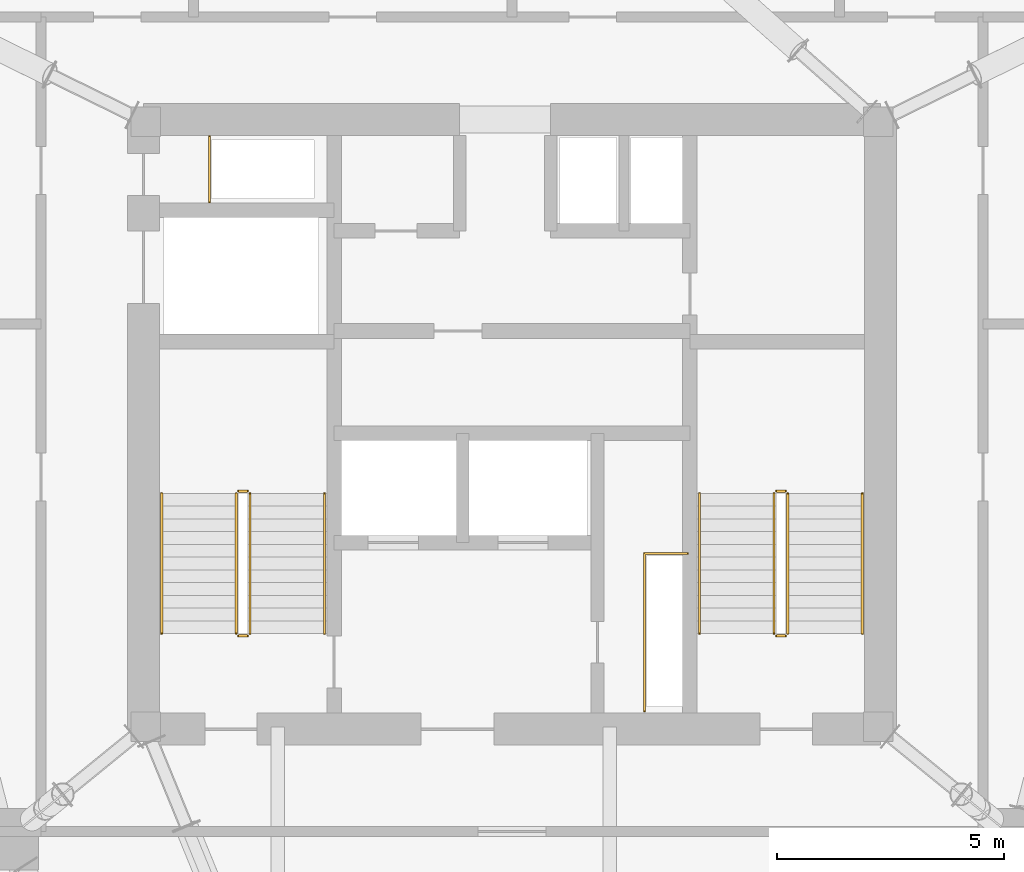
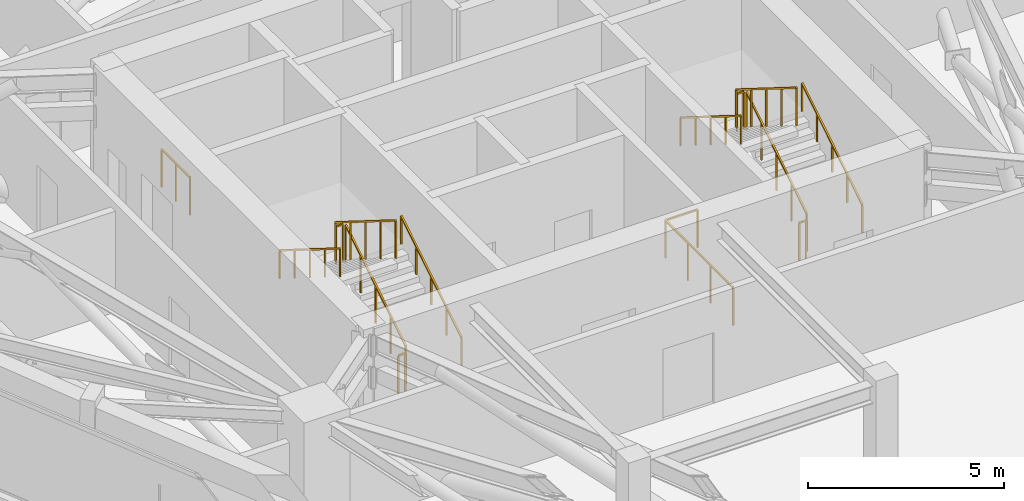
# One storey, part 12 of 12: 14 railings.
"""IFC4 building model written with IfcOpenShell, lengths in metres."""

from ifc_helpers import new_model, si_unit, direction, frame, origin, origin_2d, place, context, subcontext, project, spatial, rectangle, extrude, material, type_object, element, save


model = new_model("IFC4")

# Units and contexts
model_context = context("Model", 3, precision=1e-05, world=origin(), true_north=direction((0.0, 1.0)))
body_context = subcontext(model_context, "Body", "Model", "MODEL_VIEW")
ifc_project = project(units=[si_unit("LENGTHUNIT", "METRE"), si_unit("AREAUNIT", "SQUARE_METRE"), si_unit("VOLUMEUNIT", "CUBIC_METRE"), si_unit("PLANEANGLEUNIT", "RADIAN"), si_unit("MASSUNIT", "GRAM", prefix="KILO")], contexts=[model_context])

# Site, building, storey
site_placement = place(None, origin())
site = spatial("IfcSite", under=ifc_project, at=site_placement, CompositionType="ELEMENT")
building_placement = place(site_placement, origin())
building = spatial("IfcBuilding", under=site, at=building_placement, Name="Talyreon Biosciences Tower", CompositionType="ELEMENT")
storey_placement = place(building_placement, frame((0.0, 0.0, 227.39990234375)))
storey = spatial("IfcBuildingStorey", under=building, at=storey_placement, Name="L60", CompositionType="ELEMENT", Elevation=227.39990234375)

# Railings
ifc_material_1 = material(Name="Brushed stainless-steel tubular handrail", Category="steel")
railing_type_1 = type_object("IfcRailingType", Name="StairWallHandrail_900", PredefinedType="HANDRAIL", material=ifc_material_1)
railing_1_placement = place(storey_placement, frame((61.8798828125, 63.39990234375, 0.175048828125)))
element("IfcRailing", 1, at=railing_1_placement, inside=storey, type_object=railing_type_1, Name="L60 ST-1 stair handrail 1", PredefinedType="HANDRAIL", context=body_context, shape_type="SweptSolid", body=[
    extrude(rectangle(XDim=0.048095703125, YDim=0.048095703125, at=origin_2d()), frame((0.0, 0.0, 0.8759765625), z_axis=(0.0, 0.847998304005, 0.529998940003), x_axis=(-1.0, 0.0, 0.0)), (0.0, 0.0, 1.0), 3.632080078125),
    extrude(rectangle(XDim=0.0419921875, YDim=0.0419921875, at=origin_2d()), origin(), (0.0, 0.0, 1.0), 0.851806640625),
    extrude(rectangle(XDim=0.0419921875, YDim=0.0419921875, at=origin_2d()), frame((0.0, 0.77001953125, 0.481201171875)), (0.0, 0.0, 1.0), 0.851806640625),
    extrude(rectangle(XDim=0.0419921875, YDim=0.0419921875, at=origin_2d()), frame((0.0, 1.5400390625, 0.96240234375)), (0.0, 0.0, 1.0), 0.851806640625),
    extrude(rectangle(XDim=0.0419921875, YDim=0.0419921875, at=origin_2d()), frame((0.0, 2.31005859375, 1.44384765625)), (0.0, 0.0, 1.0), 0.851806640625),
    extrude(rectangle(XDim=0.0419921875, YDim=0.0419921875, at=origin_2d()), frame((0.0, 3.080078125, 1.925048828125)), (0.0, 0.0, 1.0), 0.851806640625),
])
railing_2_placement = place(storey_placement, frame((58.300048828125, 66.47998046875, 2.275146484375)))
element("IfcRailing", 2, at=railing_2_placement, inside=storey, type_object=railing_type_1, Name="L60 ST-1 stair handrail 2", PredefinedType="HANDRAIL", context=body_context, shape_type="SweptSolid", body=[
    extrude(rectangle(XDim=0.048095703125, YDim=0.048095703125, at=origin_2d()), frame((0.0, 0.0, 0.8759765625), z_axis=(0.0, -0.847998304005, 0.529998940003), x_axis=(1.0, 0.0, 0.0)), (0.0, 0.0, 1.0), 3.632080078125),
    extrude(rectangle(XDim=0.0419921875, YDim=0.0419921875, at=origin_2d()), origin(), (0.0, 0.0, 1.0), 0.851806640625),
    extrude(rectangle(XDim=0.0419921875, YDim=0.0419921875, at=origin_2d()), frame((0.0, -0.77001953125, 0.481201171875)), (0.0, 0.0, 1.0), 0.851806640625),
    extrude(rectangle(XDim=0.0419921875, YDim=0.0419921875, at=origin_2d()), frame((0.0, -1.5400390625, 0.96240234375)), (0.0, 0.0, 1.0), 0.851806640625),
    extrude(rectangle(XDim=0.0419921875, YDim=0.0419921875, at=origin_2d()), frame((0.0, -2.31005859375, 1.44384765625)), (0.0, 0.0, 1.0), 0.851806640625),
    extrude(rectangle(XDim=0.0419921875, YDim=0.0419921875, at=origin_2d()), frame((0.0, -3.080078125, 1.925048828125)), (0.0, 0.0, 1.0), 0.851806640625),
])
railing_3_placement = place(storey_placement, frame((73.699951171875, 63.39990234375, 0.175048828125)))
element("IfcRailing", 3, at=railing_3_placement, inside=storey, type_object=railing_type_1, Name="L60 ST-2 stair handrail 1", PredefinedType="HANDRAIL", context=body_context, shape_type="SweptSolid", body=[
    extrude(rectangle(XDim=0.048095703125, YDim=0.048095703125, at=origin_2d()), frame((0.0, 0.0, 0.8759765625), z_axis=(0.0, 0.847998304005, 0.529998940003), x_axis=(-1.0, 0.0, 0.0)), (0.0, 0.0, 1.0), 3.632080078125),
    extrude(rectangle(XDim=0.0419921875, YDim=0.0419921875, at=origin_2d()), origin(), (0.0, 0.0, 1.0), 0.851806640625),
    extrude(rectangle(XDim=0.0419921875, YDim=0.0419921875, at=origin_2d()), frame((0.0, 0.77001953125, 0.481201171875)), (0.0, 0.0, 1.0), 0.851806640625),
    extrude(rectangle(XDim=0.0419921875, YDim=0.0419921875, at=origin_2d()), frame((0.0, 1.5400390625, 0.96240234375)), (0.0, 0.0, 1.0), 0.851806640625),
    extrude(rectangle(XDim=0.0419921875, YDim=0.0419921875, at=origin_2d()), frame((0.0, 2.31005859375, 1.44384765625)), (0.0, 0.0, 1.0), 0.851806640625),
    extrude(rectangle(XDim=0.0419921875, YDim=0.0419921875, at=origin_2d()), frame((0.0, 3.080078125, 1.925048828125)), (0.0, 0.0, 1.0), 0.851806640625),
])
railing_4_placement = place(storey_placement, frame((70.1201171875, 66.47998046875, 2.275146484375)))
element("IfcRailing", 4, at=railing_4_placement, inside=storey, type_object=railing_type_1, Name="L60 ST-2 stair handrail 2", PredefinedType="HANDRAIL", context=body_context, shape_type="SweptSolid", body=[
    extrude(rectangle(XDim=0.048095703125, YDim=0.048095703125, at=origin_2d()), frame((0.0, 0.0, 0.8759765625), z_axis=(0.0, -0.847998304005, 0.529998940003), x_axis=(1.0, 0.0, 0.0)), (0.0, 0.0, 1.0), 3.632080078125),
    extrude(rectangle(XDim=0.0419921875, YDim=0.0419921875, at=origin_2d()), origin(), (0.0, 0.0, 1.0), 0.851806640625),
    extrude(rectangle(XDim=0.0419921875, YDim=0.0419921875, at=origin_2d()), frame((0.0, -0.77001953125, 0.481201171875)), (0.0, 0.0, 1.0), 0.851806640625),
    extrude(rectangle(XDim=0.0419921875, YDim=0.0419921875, at=origin_2d()), frame((0.0, -1.5400390625, 0.96240234375)), (0.0, 0.0, 1.0), 0.851806640625),
    extrude(rectangle(XDim=0.0419921875, YDim=0.0419921875, at=origin_2d()), frame((0.0, -2.31005859375, 1.44384765625)), (0.0, 0.0, 1.0), 0.851806640625),
    extrude(rectangle(XDim=0.0419921875, YDim=0.0419921875, at=origin_2d()), frame((0.0, -3.080078125, 1.925048828125)), (0.0, 0.0, 1.0), 0.851806640625),
])
ifc_material_2 = material(Name="Painted galvanised steel post-and-rail balustrade", Category="steel")
railing_type_2 = type_object("IfcRailingType", Name="TerraceStairGuard_1200", PredefinedType="GUARDRAIL", material=ifc_material_2)
railing_5_placement = place(storey_placement, frame((60.239990234375, 63.39990234375, 0.175048828125)))
element("IfcRailing", 5, at=railing_5_placement, inside=storey, type_object=railing_type_2, Name="L60 ST-1 stair guard 1", PredefinedType="GUARDRAIL", context=body_context, shape_type="SweptSolid", body=[
    extrude(rectangle(XDim=0.048095703125, YDim=0.048095703125, at=origin_2d()), frame((0.0, 0.0, 1.17578125), z_axis=(0.0, 0.847998304005, 0.529998940003), x_axis=(-1.0, 0.0, 0.0)), (0.0, 0.0, 1.0), 3.632080078125),
    extrude(rectangle(XDim=0.0419921875, YDim=0.0419921875, at=origin_2d()), origin(), (0.0, 0.0, 1.0), 1.15185546875),
    extrude(rectangle(XDim=0.0419921875, YDim=0.0419921875, at=origin_2d()), frame((0.0, 0.77001953125, 0.481201171875)), (0.0, 0.0, 1.0), 1.15185546875),
    extrude(rectangle(XDim=0.0419921875, YDim=0.0419921875, at=origin_2d()), frame((0.0, 1.5400390625, 0.96240234375)), (0.0, 0.0, 1.0), 1.15185546875),
    extrude(rectangle(XDim=0.0419921875, YDim=0.0419921875, at=origin_2d()), frame((0.0, 2.31005859375, 1.44384765625)), (0.0, 0.0, 1.0), 1.15185546875),
    extrude(rectangle(XDim=0.0419921875, YDim=0.0419921875, at=origin_2d()), frame((0.0, 3.080078125, 1.925048828125)), (0.0, 0.0, 1.0), 1.15185546875),
])
railing_6_placement = place(storey_placement, frame((60.18994140625, 66.530029296875, 2.10009765625)))
element("IfcRailing", 6, at=railing_6_placement, inside=storey, type_object=railing_type_2, Name="L60 ST-1 stair guard 2", PredefinedType="GUARDRAIL", context=body_context, shape_type="SweptSolid", body=[
    extrude(rectangle(XDim=0.048095703125, YDim=0.048095703125, at=origin_2d()), frame((0.0, 0.0, 1.17578125), z_axis=(-1.0, 0.0, 0.0), x_axis=(0.0, -1.0, 0.0)), (0.0, 0.0, 1.0), 0.199951171875),
    extrude(rectangle(XDim=0.0419921875, YDim=0.0419921875, at=origin_2d()), origin(), (0.0, 0.0, 1.0), 1.15185546875),
    extrude(rectangle(XDim=0.0419921875, YDim=0.0419921875, at=origin_2d()), frame((-0.199951171875, 0.0, 0.0)), (0.0, 0.0, 1.0), 1.15185546875),
])
railing_7_placement = place(storey_placement, frame((59.93994140625, 66.47998046875, 2.275146484375)))
element("IfcRailing", 7, at=railing_7_placement, inside=storey, type_object=railing_type_2, Name="L60 ST-1 stair guard 3", PredefinedType="GUARDRAIL", context=body_context, shape_type="SweptSolid", body=[
    extrude(rectangle(XDim=0.048095703125, YDim=0.048095703125, at=origin_2d()), frame((0.0, 0.0, 1.17578125), z_axis=(0.0, -0.847998304005, 0.529998940003), x_axis=(1.0, 0.0, 0.0)), (0.0, 0.0, 1.0), 3.632080078125),
    extrude(rectangle(XDim=0.0419921875, YDim=0.0419921875, at=origin_2d()), origin(), (0.0, 0.0, 1.0), 1.15185546875),
    extrude(rectangle(XDim=0.0419921875, YDim=0.0419921875, at=origin_2d()), frame((0.0, -0.77001953125, 0.481201171875)), (0.0, 0.0, 1.0), 1.15185546875),
    extrude(rectangle(XDim=0.0419921875, YDim=0.0419921875, at=origin_2d()), frame((0.0, -1.5400390625, 0.96240234375)), (0.0, 0.0, 1.0), 1.15185546875),
    extrude(rectangle(XDim=0.0419921875, YDim=0.0419921875, at=origin_2d()), frame((0.0, -2.31005859375, 1.44384765625)), (0.0, 0.0, 1.0), 1.15185546875),
    extrude(rectangle(XDim=0.0419921875, YDim=0.0419921875, at=origin_2d()), frame((0.0, -3.080078125, 1.925048828125)), (0.0, 0.0, 1.0), 1.15185546875),
])
railing_8_placement = place(storey_placement, frame((60.18994140625, 63.35009765625, 0.0)))
element("IfcRailing", 8, at=railing_8_placement, inside=storey, type_object=railing_type_2, Name="L60 ST-1 stair guard 4", PredefinedType="GUARDRAIL", context=body_context, shape_type="SweptSolid", body=[
    extrude(rectangle(XDim=0.048095703125, YDim=0.048095703125, at=origin_2d()), frame((0.0, 0.0, 1.17578125), z_axis=(-1.0, 0.0, 0.0), x_axis=(0.0, -1.0, 0.0)), (0.0, 0.0, 1.0), 0.199951171875),
    extrude(rectangle(XDim=0.0419921875, YDim=0.0419921875, at=origin_2d()), origin(), (0.0, 0.0, 1.0), 1.15185546875),
    extrude(rectangle(XDim=0.0419921875, YDim=0.0419921875, at=origin_2d()), frame((-0.199951171875, 0.0, 0.0)), (0.0, 0.0, 1.0), 1.15185546875),
])
railing_9_placement = place(storey_placement, frame((72.06005859375, 63.39990234375, 0.175048828125)))
element("IfcRailing", 9, at=railing_9_placement, inside=storey, type_object=railing_type_2, Name="L60 ST-2 stair guard 1", PredefinedType="GUARDRAIL", context=body_context, shape_type="SweptSolid", body=[
    extrude(rectangle(XDim=0.048095703125, YDim=0.048095703125, at=origin_2d()), frame((0.0, 0.0, 1.17578125), z_axis=(0.0, 0.847998304005, 0.529998940003), x_axis=(-1.0, 0.0, 0.0)), (0.0, 0.0, 1.0), 3.632080078125),
    extrude(rectangle(XDim=0.0419921875, YDim=0.0419921875, at=origin_2d()), origin(), (0.0, 0.0, 1.0), 1.15185546875),
    extrude(rectangle(XDim=0.0419921875, YDim=0.0419921875, at=origin_2d()), frame((0.0, 0.77001953125, 0.481201171875)), (0.0, 0.0, 1.0), 1.15185546875),
    extrude(rectangle(XDim=0.0419921875, YDim=0.0419921875, at=origin_2d()), frame((0.0, 1.5400390625, 0.96240234375)), (0.0, 0.0, 1.0), 1.15185546875),
    extrude(rectangle(XDim=0.0419921875, YDim=0.0419921875, at=origin_2d()), frame((0.0, 2.31005859375, 1.44384765625)), (0.0, 0.0, 1.0), 1.15185546875),
    extrude(rectangle(XDim=0.0419921875, YDim=0.0419921875, at=origin_2d()), frame((0.0, 3.080078125, 1.925048828125)), (0.0, 0.0, 1.0), 1.15185546875),
])
railing_10_placement = place(storey_placement, frame((72.010009765625, 66.530029296875, 2.10009765625)))
element("IfcRailing", 10, at=railing_10_placement, inside=storey, type_object=railing_type_2, Name="L60 ST-2 stair guard 2", PredefinedType="GUARDRAIL", context=body_context, shape_type="SweptSolid", body=[
    extrude(rectangle(XDim=0.048095703125, YDim=0.048095703125, at=origin_2d()), frame((0.0, 0.0, 1.17578125), z_axis=(-1.0, 0.0, 0.0), x_axis=(0.0, -1.0, 0.0)), (0.0, 0.0, 1.0), 0.199951171875),
    extrude(rectangle(XDim=0.0419921875, YDim=0.0419921875, at=origin_2d()), origin(), (0.0, 0.0, 1.0), 1.15185546875),
    extrude(rectangle(XDim=0.0419921875, YDim=0.0419921875, at=origin_2d()), frame((-0.199951171875, 0.0, 0.0)), (0.0, 0.0, 1.0), 1.15185546875),
])
railing_11_placement = place(storey_placement, frame((71.760009765625, 66.47998046875, 2.275146484375)))
element("IfcRailing", 11, at=railing_11_placement, inside=storey, type_object=railing_type_2, Name="L60 ST-2 stair guard 3", PredefinedType="GUARDRAIL", context=body_context, shape_type="SweptSolid", body=[
    extrude(rectangle(XDim=0.048095703125, YDim=0.048095703125, at=origin_2d()), frame((0.0, 0.0, 1.17578125), z_axis=(0.0, -0.847998304005, 0.529998940003), x_axis=(1.0, 0.0, 0.0)), (0.0, 0.0, 1.0), 3.632080078125),
    extrude(rectangle(XDim=0.0419921875, YDim=0.0419921875, at=origin_2d()), origin(), (0.0, 0.0, 1.0), 1.15185546875),
    extrude(rectangle(XDim=0.0419921875, YDim=0.0419921875, at=origin_2d()), frame((0.0, -0.77001953125, 0.481201171875)), (0.0, 0.0, 1.0), 1.15185546875),
    extrude(rectangle(XDim=0.0419921875, YDim=0.0419921875, at=origin_2d()), frame((0.0, -1.5400390625, 0.96240234375)), (0.0, 0.0, 1.0), 1.15185546875),
    extrude(rectangle(XDim=0.0419921875, YDim=0.0419921875, at=origin_2d()), frame((0.0, -2.31005859375, 1.44384765625)), (0.0, 0.0, 1.0), 1.15185546875),
    extrude(rectangle(XDim=0.0419921875, YDim=0.0419921875, at=origin_2d()), frame((0.0, -3.080078125, 1.925048828125)), (0.0, 0.0, 1.0), 1.15185546875),
])
railing_12_placement = place(storey_placement, frame((72.010009765625, 63.35009765625, 0.0)))
element("IfcRailing", 12, at=railing_12_placement, inside=storey, type_object=railing_type_2, Name="L60 ST-2 stair guard 4", PredefinedType="GUARDRAIL", context=body_context, shape_type="SweptSolid", body=[
    extrude(rectangle(XDim=0.048095703125, YDim=0.048095703125, at=origin_2d()), frame((0.0, 0.0, 1.17578125), z_axis=(-1.0, 0.0, 0.0), x_axis=(0.0, -1.0, 0.0)), (0.0, 0.0, 1.0), 0.199951171875),
    extrude(rectangle(XDim=0.0419921875, YDim=0.0419921875, at=origin_2d()), origin(), (0.0, 0.0, 1.0), 1.15185546875),
    extrude(rectangle(XDim=0.0419921875, YDim=0.0419921875, at=origin_2d()), frame((-0.199951171875, 0.0, 0.0)), (0.0, 0.0, 1.0), 1.15185546875),
])
railing_13_placement = place(storey_placement, frame((59.35009765625, 72.8798828125, 0.0)))
element("IfcRailing", 13, at=railing_13_placement, inside=storey, type_object=railing_type_2, Name="L60 Exhaust Riser Maintenance Guardrail", PredefinedType="GUARDRAIL", context=body_context, shape_type="SweptSolid", body=[
    extrude(rectangle(XDim=0.048095703125, YDim=0.048095703125, at=origin_2d()), frame((0.0, 0.0, 1.17578125), z_axis=(0.0, 1.0, 0.0), x_axis=(-1.0, 0.0, 0.0)), (0.0, 0.0, 1.0), 1.4501953125),
    extrude(rectangle(XDim=0.0419921875, YDim=0.0419921875, at=origin_2d()), origin(), (0.0, 0.0, 1.0), 1.15185546875),
    extrude(rectangle(XDim=0.0419921875, YDim=0.0419921875, at=origin_2d()), frame((0.0, 0.72509765625, 0.0)), (0.0, 0.0, 1.0), 1.15185546875),
    extrude(rectangle(XDim=0.0419921875, YDim=0.0419921875, at=origin_2d()), frame((0.0, 1.4501953125, 0.0)), (0.0, 0.0, 1.0), 1.15185546875),
])
railing_14_placement = place(storey_placement, frame((68.909912109375, 61.699951171875, 0.0)))
element("IfcRailing", 14, at=railing_14_placement, inside=storey, type_object=railing_type_2, Name="L60 Electrical Riser Maintenance Guardrail", PredefinedType="GUARDRAIL", context=body_context, shape_type="SweptSolid", body=[
    extrude(rectangle(XDim=0.048095703125, YDim=0.048095703125, at=origin_2d()), frame((0.0, 0.0, 1.17578125), z_axis=(0.0, 1.0, 0.0), x_axis=(-1.0, 0.0, 0.0)), (0.0, 0.0, 1.0), 3.4599609375),
    extrude(rectangle(XDim=0.048095703125, YDim=0.048095703125, at=origin_2d()), frame((0.0, 3.4599609375, 1.17578125), z_axis=(1.0, 0.0, 0.0), x_axis=(0.0, 1.0, 0.0)), (0.0, 0.0, 1.0), 0.9501953125),
    extrude(rectangle(XDim=0.0419921875, YDim=0.0419921875, at=origin_2d()), origin(), (0.0, 0.0, 1.0), 1.15185546875),
    extrude(rectangle(XDim=0.0419921875, YDim=0.0419921875, at=origin_2d()), frame((0.0, 1.1533203125, 0.0)), (0.0, 0.0, 1.0), 1.15185546875),
    extrude(rectangle(XDim=0.0419921875, YDim=0.0419921875, at=origin_2d()), frame((0.0, 2.306640625, 0.0)), (0.0, 0.0, 1.0), 1.15185546875),
    extrude(rectangle(XDim=0.0419921875, YDim=0.0419921875, at=origin_2d()), frame((0.0, 3.4599609375, 0.0)), (0.0, 0.0, 1.0), 1.15185546875),
    extrude(rectangle(XDim=0.0419921875, YDim=0.0419921875, at=origin_2d()), frame((0.9501953125, 3.4599609375, 0.0)), (0.0, 0.0, 1.0), 1.15185546875),
])

save(model, "model.ifc")
